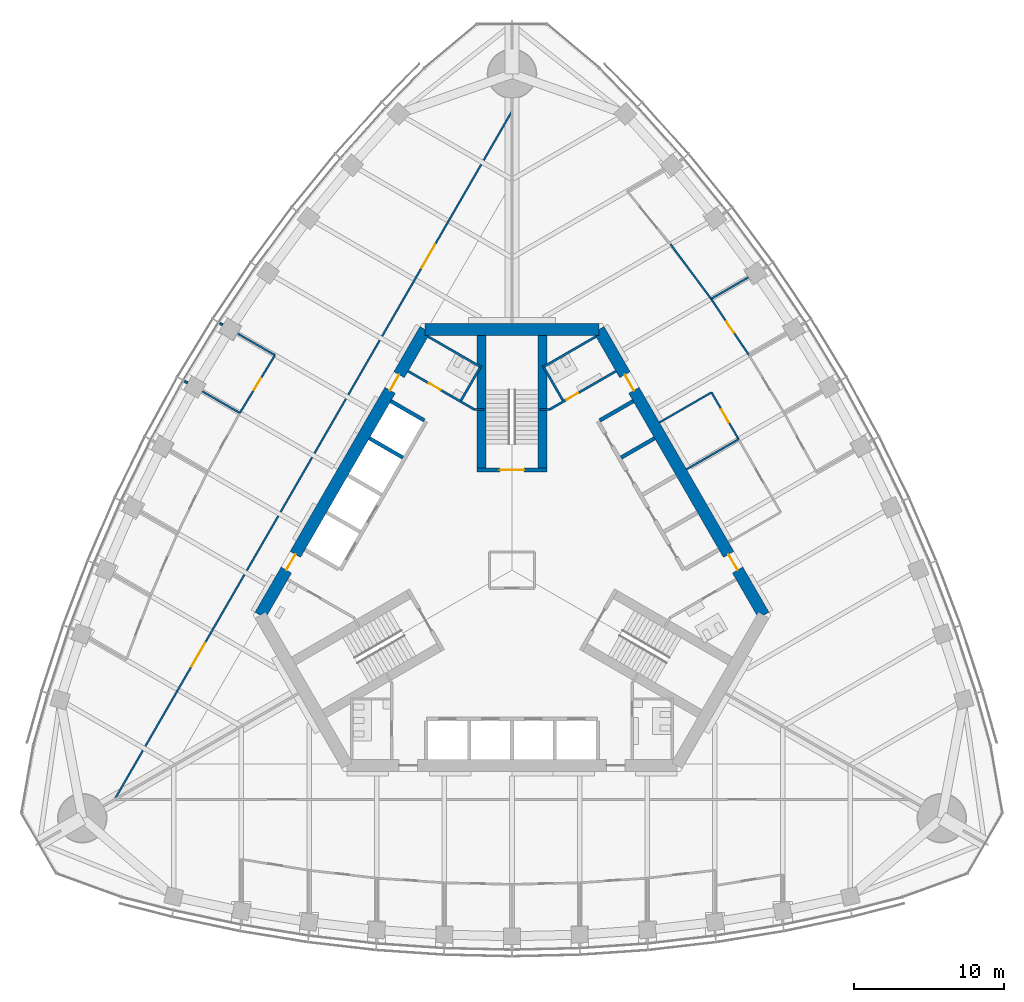
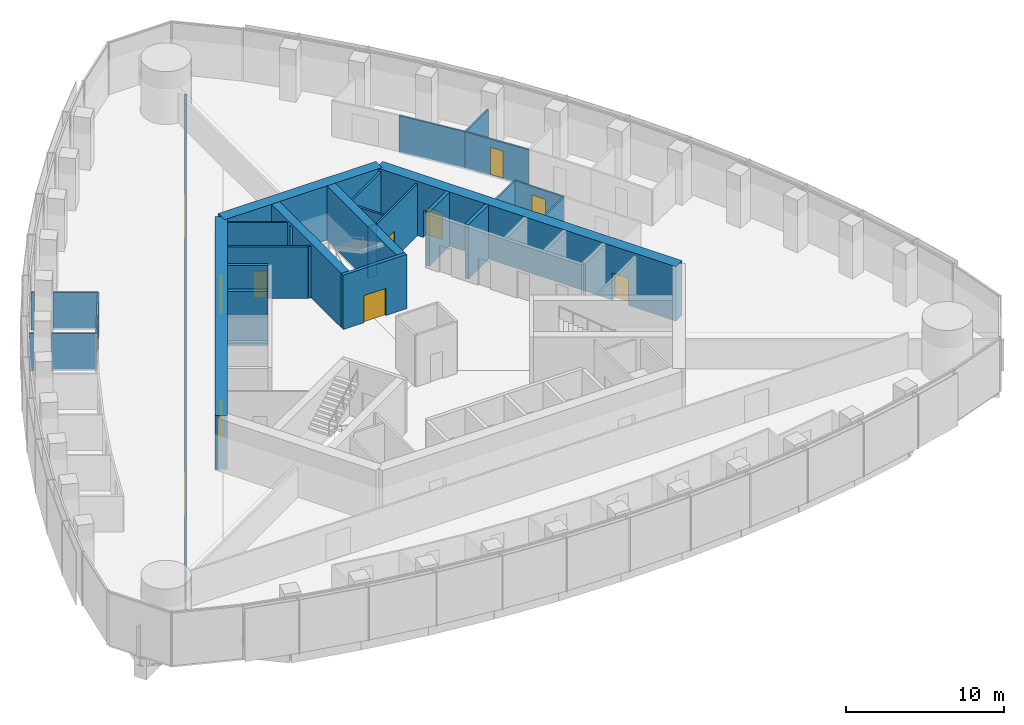
# One storey, part 14 of 20: 30 walls, 12 doors, 12 openings.
"""IFC4 building model written with IfcOpenShell, lengths in metres."""

from ifc_helpers import new_model, si_unit, direction, frame, frame_2d, origin, place, context, subcontext, project, spatial, rectangle, extrude, material, layer, layer_set, type_object, element, fill, save


model = new_model("IFC4")

# Units and contexts
model_context = context("Model", 3, precision=1e-05, world=origin(), true_north=direction((0.0, 1.0)))
body_context = subcontext(model_context, "Body", "Model", "MODEL_VIEW")
ifc_project = project(units=[si_unit("LENGTHUNIT", "METRE"), si_unit("AREAUNIT", "SQUARE_METRE"), si_unit("VOLUMEUNIT", "CUBIC_METRE"), si_unit("PLANEANGLEUNIT", "RADIAN"), si_unit("MASSUNIT", "GRAM", prefix="KILO")], contexts=[model_context])

# Site, building, storey
site_placement = place(None, origin())
site = spatial("IfcSite", under=ifc_project, at=site_placement, CompositionType="ELEMENT")
building_placement = place(site_placement, origin())
building = spatial("IfcBuilding", under=site, at=building_placement, Name="Trefoil Bronze Tower", CompositionType="ELEMENT")
storey_placement = place(building_placement, frame((0.0, 0.0, 219.10009765625)))
storey = spatial("IfcBuildingStorey", under=building, at=storey_placement, Name="L50", CompositionType="ELEMENT", Elevation=219.10009765625)

# Wall, openings, doors
ifc_material_1 = material(Name="Concrete B80", Category="concrete")
ifc_layer_1 = layer(ifc_material_1, 0.800048828125)
ifc_layer_set_1 = layer_set([ifc_layer_1], Name="Core wall 800")
wall_type_1 = type_object("IfcWallType", Name="Core wall 800", PredefinedType="SHEAR", material=ifc_layer_set_1)
wall_1_placement = place(storey_placement, frame((16.7431640625, -3.0, 0.0), z_axis=(0.0, 0.0, 1.0), x_axis=(-0.500002442456, 0.866023993627, 0.0)))
wall_1 = element("IfcWall", 1, at=wall_1_placement, inside=storey, type_object=wall_type_1, Name="Core long wall 2 L50", PredefinedType="SHEAR", context=body_context, shape_type="SweptSolid", body=[
    extrude(rectangle(XDim=21.939453125, YDim=0.800048828125, at=frame_2d((10.9697265625, 0.0))), origin(), (0.0, 0.0, 1.0), 4.199951171875),
])
opening_1_placement = place(wall_1_placement, frame((17.269775390625, 0.0, 0.0)))
opening_1 = element("IfcOpeningElement", 2, at=opening_1_placement, cuts=wall_1, Name="Opening D2", PredefinedType="OPENING", context=body_context, shape_type="SweptSolid", body=[
    extrude(rectangle(XDim=1.199951171875, YDim=2.10009765625, at=frame_2d((0.60009765625, 1.050048828125))), frame((0.0, 0.409912109375, 0.0), z_axis=(0.0, -1.0, 0.0), x_axis=(1.0, 0.0, 0.0)), (0.0, 0.0, 1.0), 0.820068359375),
])
opening_2_placement = place(wall_1_placement, frame((3.4697265625, 0.0, 0.0)))
opening_2 = element("IfcOpeningElement", 3, at=opening_2_placement, cuts=wall_1, Name="Opening D2", PredefinedType="OPENING", context=body_context, shape_type="SweptSolid", body=[
    extrude(rectangle(XDim=1.199951171875, YDim=2.10009765625, at=frame_2d((0.60009765625, 1.050048828125))), frame((0.0, 0.409912109375, 0.0), z_axis=(0.0, -1.0, 0.0), x_axis=(1.0, 0.0, 0.0)), (0.0, 0.0, 1.0), 0.820068359375),
])
ifc_material_2 = material(Name="Steel door", Category="steel")
door_type_1 = type_object("IfcDoorType", Name="Lobby door 1200", OperationType="SINGLE_SWING_RIGHT", PredefinedType="DOOR", material=ifc_material_2)
door_1_placement = place(opening_1_placement, origin())
door_1 = element("IfcDoor", 4, at=door_1_placement, inside=storey, type_object=door_type_1, Name="Lobby door F2+ L50", OperationType="SINGLE_SWING_RIGHT", OverallHeight=2.10009765625, OverallWidth=1.199951171875, PredefinedType="DOOR", context=body_context, shape_type="SweptSolid", body=[
    extrude(rectangle(XDim=1.199951171875, YDim=2.10009765625, at=frame_2d((0.60009765625, 1.050048828125))), frame((0.0, 0.02490234375, 0.0), z_axis=(0.0, -1.0, 0.0), x_axis=(1.0, 0.0, 0.0)), (0.0, 0.0, 1.0), 0.050048828125),
])
fill(opening_1, door_1)
door_2_placement = place(opening_2_placement, origin())
door_2 = element("IfcDoor", 5, at=door_2_placement, inside=storey, type_object=door_type_1, Name="Lobby door F2- L50", OperationType="SINGLE_SWING_LEFT", OverallHeight=2.10009765625, OverallWidth=1.199951171875, PredefinedType="DOOR", context=body_context, shape_type="SweptSolid", body=[
    extrude(rectangle(XDim=1.199951171875, YDim=2.10009765625, at=frame_2d((0.60009765625, 1.050048828125))), frame((0.0, 0.02490234375, 0.0), z_axis=(0.0, -1.0, 0.0), x_axis=(1.0, 0.0, 0.0)), (0.0, 0.0, 1.0), 0.050048828125),
])
fill(opening_2, door_2)

# Wall
wall_2_placement = place(storey_placement, frame((5.7734375, 16.0, 0.0), z_axis=(0.0, 0.0, 1.0), x_axis=(-1.0, 0.0, 0.0)))
element("IfcWall", 6, at=wall_2_placement, inside=storey, type_object=wall_type_1, Name="Core short wall 2 L50", PredefinedType="SHEAR", context=body_context, shape_type="SweptSolid", body=[
    extrude(rectangle(XDim=11.546875, YDim=0.800048828125, at=frame_2d((5.7734375, 0.0))), origin(), (0.0, 0.0, 1.0), 4.199951171875),
])

# Wall, openings, doors
wall_3_placement = place(storey_placement, frame((-5.7734375, 16.0, 0.0), z_axis=(0.0, 0.0, 1.0), x_axis=(-0.500002442456, -0.866023993627, 0.0)))
wall_3 = element("IfcWall", 7, at=wall_3_placement, inside=storey, type_object=wall_type_1, Name="Core long wall 3 L50", PredefinedType="SHEAR", context=body_context, shape_type="SweptSolid", body=[
    extrude(rectangle(XDim=21.939453125, YDim=0.800048828125, at=frame_2d((10.9697265625, 0.0))), origin(), (0.0, 0.0, 1.0), 4.199951171875),
])
opening_3_placement = place(wall_3_placement, frame((17.269775390625, 0.0, 0.0)))
opening_3 = element("IfcOpeningElement", 8, at=opening_3_placement, cuts=wall_3, Name="Opening D2", PredefinedType="OPENING", context=body_context, shape_type="SweptSolid", body=[
    extrude(rectangle(XDim=1.199951171875, YDim=2.10009765625, at=frame_2d((0.60009765625, 1.050048828125))), frame((0.0, 0.409912109375, 0.0), z_axis=(0.0, -1.0, 0.0), x_axis=(1.0, 0.0, 0.0)), (0.0, 0.0, 1.0), 0.820068359375),
])
opening_4_placement = place(wall_3_placement, frame((3.4697265625, 0.0, 0.0)))
opening_4 = element("IfcOpeningElement", 9, at=opening_4_placement, cuts=wall_3, Name="Opening D2", PredefinedType="OPENING", context=body_context, shape_type="SweptSolid", body=[
    extrude(rectangle(XDim=1.199951171875, YDim=2.10009765625, at=frame_2d((0.60009765625, 1.050048828125))), frame((0.0, 0.409912109375, 0.0), z_axis=(0.0, -1.0, 0.0), x_axis=(1.0, 0.0, 0.0)), (0.0, 0.0, 1.0), 0.820068359375),
])
door_3_placement = place(opening_3_placement, origin())
door_3 = element("IfcDoor", 10, at=door_3_placement, inside=storey, type_object=door_type_1, Name="Lobby door F3+ L50", OperationType="SINGLE_SWING_RIGHT", OverallHeight=2.10009765625, OverallWidth=1.199951171875, PredefinedType="DOOR", context=body_context, shape_type="SweptSolid", body=[
    extrude(rectangle(XDim=1.199951171875, YDim=2.10009765625, at=frame_2d((0.60009765625, 1.050048828125))), frame((0.0, 0.02490234375, 0.0), z_axis=(0.0, -1.0, 0.0), x_axis=(1.0, 0.0, 0.0)), (0.0, 0.0, 1.0), 0.050048828125),
])
fill(opening_3, door_3)
door_4_placement = place(opening_4_placement, origin())
door_4 = element("IfcDoor", 11, at=door_4_placement, inside=storey, type_object=door_type_1, Name="Lobby door F3- L50", OperationType="SINGLE_SWING_LEFT", OverallHeight=2.10009765625, OverallWidth=1.199951171875, PredefinedType="DOOR", context=body_context, shape_type="SweptSolid", body=[
    extrude(rectangle(XDim=1.199951171875, YDim=2.10009765625, at=frame_2d((0.60009765625, 1.050048828125))), frame((0.0, 0.02490234375, 0.0), z_axis=(0.0, -1.0, 0.0), x_axis=(1.0, 0.0, 0.0)), (0.0, 0.0, 1.0), 0.050048828125),
])
fill(opening_4, door_4)

# Wall, opening, door
ifc_material_3 = material(Name="Glazed partition", Category="glass")
ifc_layer_2 = layer(ifc_material_3, 0.1201171875)
ifc_layer_set_2 = layer_set([ifc_layer_2], Name="Glazed partition 120")
wall_type_2 = type_object("IfcWallType", Name="Glazed partition 120", PredefinedType="PARTITIONING", material=ifc_layer_set_2)
wall_4_placement = place(storey_placement, frame((15.06884765625, 8.699951171875, 0.0), z_axis=(0.0, 0.0, 1.0), x_axis=(-0.500012057535, 0.866018442252, 0.0)))
wall_4 = element("IfcWall", 12, at=wall_4_placement, inside=storey, type_object=wall_type_2, Name="Partition F2 L50", PredefinedType="PARTITIONING", context=body_context, shape_type="SweptSolid", body=[
    extrude(rectangle(XDim=3.60009765625, YDim=0.1201171875, at=frame_2d((1.800048828125, 0.0))), origin(), (0.0, 0.0, 1.0), 2.89990234375),
])
opening_5_placement = place(wall_4_placement, frame((1.300048828125, 0.0, 0.14990234375)))
opening_5 = element("IfcOpeningElement", 13, at=opening_5_placement, cuts=wall_4, Name="Opening D9", PredefinedType="OPENING", context=body_context, shape_type="SweptSolid", body=[
    extrude(rectangle(XDim=1.0, YDim=2.10009765625, at=frame_2d((0.5, 1.050048828125))), frame((0.0, 0.070068359375, 0.0), z_axis=(0.0, -1.0, 0.0), x_axis=(1.0, 0.0, 0.0)), (0.0, 0.0, 1.0), 0.14013671875),
])
ifc_material_4 = material(Name="Glazed timber door", Category="wood")
door_type_2 = type_object("IfcDoorType", Name="Meeting room door 1000", OperationType="SINGLE_SWING_LEFT", PredefinedType="DOOR", material=ifc_material_4)
door_5_placement = place(opening_5_placement, origin())
door_5 = element("IfcDoor", 14, at=door_5_placement, inside=storey, type_object=door_type_2, Name="Meeting room door F2 L50", OperationType="SINGLE_SWING_LEFT", OverallHeight=2.10009765625, OverallWidth=1.0, PredefinedType="DOOR", context=body_context, shape_type="SweptSolid", body=[
    extrude(rectangle(XDim=1.0, YDim=2.10009765625, at=frame_2d((0.5, 1.050048828125))), frame((0.0, 0.02490234375, 0.0), z_axis=(0.0, -1.0, 0.0), x_axis=(1.0, 0.0, 0.0)), (0.0, 0.0, 1.0), 0.050048828125),
])
fill(opening_5, door_5)

# Walls
for number, where, z_axis, x_axis, name in (
    (15, (9.8046875, 9.817626953125, 0.0), (0.0, 0.0, 1.0), (0.866026010844, 0.49999894854, 0.0), "Partition F2 L50"),
    (16, (11.604736328125, 6.699951171875, 0.0), (0.0, 0.0, 1.0), (0.866026010844, 0.49999894854, 0.0), "Partition F2 L50"),
):
    element("IfcWall", number, at=place(storey_placement, frame(where, z_axis=z_axis, x_axis=x_axis)), inside=storey, type_object=wall_type_2, Name=name, PredefinedType="PARTITIONING", context=body_context, shape_type="SweptSolid", body=[
        extrude(rectangle(XDim=4.0, YDim=0.1201171875, at=frame_2d((2.0, 0.0))), origin(), (0.0, 0.0, 1.0), 2.89990234375),
    ])

# Wall, opening, door
wall_5_placement = place(storey_placement, frame((15.760986328125, 14.295654296875, 0.0), z_axis=(0.0, 0.0, 1.0), x_axis=(-0.55850386778, 0.829501916619, 0.0)))
wall_5 = element("IfcWall", 17, at=wall_5_placement, inside=storey, type_object=wall_type_2, Name="Partition F2 L50", PredefinedType="PARTITIONING", context=body_context, shape_type="SweptSolid", body=[
    extrude(rectangle(XDim=4.5107421875, YDim=0.1201171875, at=frame_2d((2.25537109375, 0.0))), origin(), (0.0, 0.0, 1.0), 2.89990234375),
])
opening_6_placement = place(wall_5_placement, frame((1.800048828125, 0.0, 0.14990234375)))
opening_6 = element("IfcOpeningElement", 18, at=opening_6_placement, cuts=wall_5, Name="Opening D8", PredefinedType="OPENING", context=body_context, shape_type="SweptSolid", body=[
    extrude(rectangle(XDim=0.89990234375, YDim=2.10009765625, at=frame_2d((0.449951171875, 1.050048828125))), frame((0.0, 0.070068359375, 0.0), z_axis=(0.0, -1.0, 0.0), x_axis=(1.0, 0.0, 0.0)), (0.0, 0.0, 1.0), 0.14013671875),
])
ifc_material_5 = material(Name="Timber door", Category="wood")
door_type_3 = type_object("IfcDoorType", Name="Office door 900", OperationType="SINGLE_SWING_LEFT", PredefinedType="DOOR", material=ifc_material_5)
door_6_placement = place(opening_6_placement, frame((0.89990234375, 0.0, 0.0), z_axis=(0.0, 0.0, 1.0), x_axis=(-1.0, 0.0, 0.0)))
door_6 = element("IfcDoor", 19, at=door_6_placement, inside=storey, type_object=door_type_3, Name="Office door F2 L50", OperationType="SINGLE_SWING_RIGHT", OverallHeight=2.10009765625, OverallWidth=0.89990234375, PredefinedType="DOOR", context=body_context, shape_type="SweptSolid", body=[
    extrude(rectangle(XDim=0.89990234375, YDim=2.10009765625, at=frame_2d((0.449951171875, 1.050048828125))), frame((0.0, 0.02490234375, 0.0), z_axis=(0.0, -1.0, 0.0), x_axis=(1.0, 0.0, 0.0)), (0.0, 0.0, 1.0), 0.050048828125),
])
fill(opening_6, door_6)

# Walls
wall_6_placement = place(storey_placement, frame((13.24169921875, 18.037353515625, 0.0), z_axis=(0.0, 0.0, 1.0), x_axis=(-0.596173167565, 0.802855873912, 0.0)))
element("IfcWall", 20, at=wall_6_placement, inside=storey, type_object=wall_type_2, Name="Partition F2 L50", PredefinedType="PARTITIONING", context=body_context, shape_type="SweptSolid", body=[
    extrude(rectangle(XDim=4.530029296875, YDim=0.1201171875, at=frame_2d((2.26513671875, 0.0))), origin(), (0.0, 0.0, 1.0), 2.89990234375),
])
wall_7_placement = place(storey_placement, frame((13.24169921875, 18.037353515625, 0.0), z_axis=(0.0, 0.0, 1.0), x_axis=(0.866020927947, 0.500007752297, 0.0)))
element("IfcWall", 21, at=wall_7_placement, inside=storey, type_object=wall_type_2, Name="Partition F2 L50", PredefinedType="PARTITIONING", context=body_context, shape_type="SweptSolid", body=[
    extrude(rectangle(XDim=2.8642578125, YDim=0.1201171875, at=frame_2d((1.43212890625, 0.0))), origin(), (0.0, 0.0, 1.0), 2.89990234375),
])

# Wall, openings, doors
wall_8_placement = place(storey_placement, frame((-0.016357421875, 30.491455078125, 0.0), z_axis=(0.0, 0.0, 1.0), x_axis=(-0.50000091641, -0.866024874695, 0.0)))
wall_8 = element("IfcWall", 22, at=wall_8_placement, inside=storey, type_object=wall_type_2, Name="Partition F3 L50", PredefinedType="PARTITIONING", context=body_context, shape_type="SweptSolid", body=[
    extrude(rectangle(XDim=52.79638671875, YDim=0.1201171875, at=frame_2d((26.398193359375, 0.0))), origin(), (0.0, 0.0, 1.0), 2.89990234375),
])
opening_7_placement = place(wall_8_placement, frame((10.199951171875, 0.0, 0.14990234375)))
opening_7 = element("IfcOpeningElement", 23, at=opening_7_placement, cuts=wall_8, Name="Opening D10", PredefinedType="OPENING", context=body_context, shape_type="SweptSolid", body=[
    extrude(rectangle(XDim=1.800048828125, YDim=2.10009765625, at=frame_2d((0.89990234375, 1.050048828125))), frame((0.0, 0.070068359375, 0.0), z_axis=(0.0, -1.0, 0.0), x_axis=(1.0, 0.0, 0.0)), (0.0, 0.0, 1.0), 0.14013671875),
])
opening_8_placement = place(wall_8_placement, frame((40.800048828125, 0.0, 0.14990234375)))
opening_8 = element("IfcOpeningElement", 24, at=opening_8_placement, cuts=wall_8, Name="Opening D10", PredefinedType="OPENING", context=body_context, shape_type="SweptSolid", body=[
    extrude(rectangle(XDim=1.800048828125, YDim=2.10009765625, at=frame_2d((0.89990234375, 1.050048828125))), frame((0.0, 0.070068359375, 0.0), z_axis=(0.0, -1.0, 0.0), x_axis=(1.0, 0.0, 0.0)), (0.0, 0.0, 1.0), 0.14013671875),
])
ifc_material_6 = material(Name="Timber door", Category="wood")
door_type_4 = type_object("IfcDoorType", Name="Double door 1800", OperationType="DOUBLE_DOOR_SINGLE_SWING", PredefinedType="DOOR", material=ifc_material_6)
door_7_placement = place(opening_7_placement, origin())
door_7 = element("IfcDoor", 25, at=door_7_placement, inside=storey, type_object=door_type_4, Name="Corridor door F3 L50", OperationType="DOUBLE_DOOR_SINGLE_SWING", OverallHeight=2.10009765625, OverallWidth=1.800048828125, PredefinedType="DOOR", context=body_context, shape_type="SweptSolid", body=[
    extrude(rectangle(XDim=1.800048828125, YDim=2.10009765625, at=frame_2d((0.89990234375, 1.050048828125))), frame((0.0, 0.02490234375, 0.0), z_axis=(0.0, -1.0, 0.0), x_axis=(1.0, 0.0, 0.0)), (0.0, 0.0, 1.0), 0.050048828125),
])
fill(opening_7, door_7)
door_8_placement = place(opening_8_placement, origin())
door_8 = element("IfcDoor", 26, at=door_8_placement, inside=storey, type_object=door_type_4, Name="Corridor door F3 L50", OperationType="DOUBLE_DOOR_SINGLE_SWING", OverallHeight=2.10009765625, OverallWidth=1.800048828125, PredefinedType="DOOR", context=body_context, shape_type="SweptSolid", body=[
    extrude(rectangle(XDim=1.800048828125, YDim=2.10009765625, at=frame_2d((0.89990234375, 1.050048828125))), frame((0.0, 0.02490234375, 0.0), z_axis=(0.0, -1.0, 0.0), x_axis=(1.0, 0.0, 0.0)), (0.0, 0.0, 1.0), 0.050048828125),
])
fill(opening_8, door_8)

# Wall, opening, door
wall_9_placement = place(storey_placement, frame((-15.760986328125, 14.295654296875, 0.0), z_axis=(0.0, 0.0, 1.0), x_axis=(-0.519790350351, -0.85429385558, 0.0)))
wall_9 = element("IfcWall", 27, at=wall_9_placement, inside=storey, type_object=wall_type_2, Name="Partition F3 L50", PredefinedType="PARTITIONING", context=body_context, shape_type="SweptSolid", body=[
    extrude(rectangle(XDim=4.5009765625, YDim=0.1201171875, at=frame_2d((2.25048828125, 0.0))), origin(), (0.0, 0.0, 1.0), 2.89990234375),
])
opening_9_placement = place(wall_9_placement, frame((1.800048828125, 0.0, 0.14990234375)))
opening_9 = element("IfcOpeningElement", 28, at=opening_9_placement, cuts=wall_9, Name="Opening D8", PredefinedType="OPENING", context=body_context, shape_type="SweptSolid", body=[
    extrude(rectangle(XDim=0.89990234375, YDim=2.10009765625, at=frame_2d((0.449951171875, 1.050048828125))), frame((0.0, 0.070068359375, 0.0), z_axis=(0.0, -1.0, 0.0), x_axis=(1.0, 0.0, 0.0)), (0.0, 0.0, 1.0), 0.14013671875),
])
door_9_placement = place(opening_9_placement, frame((0.89990234375, 0.0, 0.0), z_axis=(0.0, 0.0, 1.0), x_axis=(-1.0, 0.0, 0.0)))
door_9 = element("IfcDoor", 29, at=door_9_placement, inside=storey, type_object=door_type_3, Name="Office door F3 L50", OperationType="SINGLE_SWING_RIGHT", OverallHeight=2.10009765625, OverallWidth=0.89990234375, PredefinedType="DOOR", context=body_context, shape_type="SweptSolid", body=[
    extrude(rectangle(XDim=0.89990234375, YDim=2.10009765625, at=frame_2d((0.449951171875, 1.050048828125))), frame((0.0, 0.02490234375, 0.0), z_axis=(0.0, -1.0, 0.0), x_axis=(1.0, 0.0, 0.0)), (0.0, 0.0, 1.0), 0.050048828125),
])
fill(opening_9, door_9)

# Walls
wall_10_placement = place(storey_placement, frame((-18.1005859375, 10.450439453125, 0.0), z_axis=(0.0, 0.0, 1.0), x_axis=(-0.866041086612, 0.499972835562, 0.0)))
element("IfcWall", 30, at=wall_10_placement, inside=storey, type_object=wall_type_2, Name="Partition F3 L50", PredefinedType="PARTITIONING", context=body_context, shape_type="SweptSolid", body=[
    extrude(rectangle(XDim=2.869873046875, YDim=0.1201171875, at=frame_2d((1.43505859375, 0.0))), origin(), (0.0, 0.0, 1.0), 2.89990234375),
])
wall_11_placement = place(storey_placement, frame((-15.760986328125, 14.295654296875, 0.0), z_axis=(0.0, 0.0, 1.0), x_axis=(-0.866008413041, 0.500029427677, 0.0)))
element("IfcWall", 31, at=wall_11_placement, inside=storey, type_object=wall_type_2, Name="Partition F3 L50", PredefinedType="PARTITIONING", context=body_context, shape_type="SweptSolid", body=[
    extrude(rectangle(XDim=2.868408203125, YDim=0.1201171875, at=frame_2d((1.43408203125, 0.0))), origin(), (0.0, 0.0, 1.0), 2.89990234375),
])

# Wall, opening, door
ifc_material_7 = material(Name="Gypsum board on steel studs", Category="steel")
ifc_layer_3 = layer(ifc_material_7, 0.14990234375)
ifc_layer_set_3 = layer_set([ifc_layer_3], Name="Partition 150")
wall_type_3 = type_object("IfcWallType", Name="Partition 150", PredefinedType="PARTITIONING", material=ifc_layer_set_3)
wall_12_placement = place(storey_placement, frame((2.4951171875, 10.67822265625, 0.0), z_axis=(0.0, 0.0, 1.0), x_axis=(0.86602216432, 0.500005610874, 0.0)))
wall_12 = element("IfcWall", 32, at=wall_12_placement, inside=storey, type_object=wall_type_3, Name="Passage wall F2+ L50", PredefinedType="PARTITIONING", context=body_context, shape_type="SweptSolid", body=[
    extrude(rectangle(XDim=5.10009765625, YDim=0.14990234375, at=frame_2d((2.550048828125, 0.0))), origin(), (0.0, 0.0, 1.0), 4.0),
])
opening_10_placement = place(wall_12_placement, frame((1.300048828125, 0.0, 0.0)))
opening_10 = element("IfcOpeningElement", 33, at=opening_10_placement, cuts=wall_12, Name="Opening D3", PredefinedType="OPENING", context=body_context, shape_type="SweptSolid", body=[
    extrude(rectangle(XDim=0.89990234375, YDim=2.10009765625, at=frame_2d((0.449951171875, 1.050048828125))), frame((0.0, 0.0849609375, 0.0), z_axis=(0.0, -1.0, 0.0), x_axis=(1.0, 0.0, 0.0)), (0.0, 0.0, 1.0), 0.169921875),
])
ifc_material_8 = material(Name="Timber door", Category="wood")
door_type_5 = type_object("IfcDoorType", Name="WC door 900", OperationType="SINGLE_SWING_LEFT", PredefinedType="DOOR", material=ifc_material_8)
door_10_placement = place(opening_10_placement, origin())
door_10 = element("IfcDoor", 34, at=door_10_placement, inside=storey, type_object=door_type_5, Name="WC (men) door L50", OperationType="SINGLE_SWING_LEFT", OverallHeight=2.10009765625, OverallWidth=0.89990234375, PredefinedType="DOOR", context=body_context, shape_type="SweptSolid", body=[
    extrude(rectangle(XDim=0.89990234375, YDim=2.10009765625, at=frame_2d((0.449951171875, 1.050048828125))), frame((0.0, 0.02490234375, 0.0), z_axis=(0.0, -1.0, 0.0), x_axis=(1.0, 0.0, 0.0)), (0.0, 0.0, 1.0), 0.050048828125),
])
fill(opening_10, door_10)

wall_13_placement = place(storey_placement, frame((-2.4951171875, 10.67822265625, 0.0), z_axis=(0.0, 0.0, 1.0), x_axis=(-0.86602216432, 0.500005610874, 0.0)))
wall_13 = element("IfcWall", 35, at=wall_13_placement, inside=storey, type_object=wall_type_3, Name="Passage wall F3- L50", PredefinedType="PARTITIONING", context=body_context, shape_type="SweptSolid", body=[
    extrude(rectangle(XDim=5.10009765625, YDim=0.14990234375, at=frame_2d((2.550048828125, 0.0))), origin(), (0.0, 0.0, 1.0), 4.0),
])
opening_11_placement = place(wall_13_placement, frame((2.60009765625, 0.0, 0.0)))
opening_11 = element("IfcOpeningElement", 36, at=opening_11_placement, cuts=wall_13, Name="Opening D3", PredefinedType="OPENING", context=body_context, shape_type="SweptSolid", body=[
    extrude(rectangle(XDim=0.89990234375, YDim=2.10009765625, at=frame_2d((0.449951171875, 1.050048828125))), frame((0.0, 0.0849609375, 0.0), z_axis=(0.0, -1.0, 0.0), x_axis=(1.0, 0.0, 0.0)), (0.0, 0.0, 1.0), 0.169921875),
])
door_11_placement = place(opening_11_placement, frame((0.89990234375, 0.0, 0.0), z_axis=(0.0, 0.0, 1.0), x_axis=(-1.0, 0.0, 0.0)))
door_11 = element("IfcDoor", 37, at=door_11_placement, inside=storey, type_object=door_type_5, Name="WC (women) door L50", OperationType="SINGLE_SWING_RIGHT", OverallHeight=2.10009765625, OverallWidth=0.89990234375, PredefinedType="DOOR", context=body_context, shape_type="SweptSolid", body=[
    extrude(rectangle(XDim=0.89990234375, YDim=2.10009765625, at=frame_2d((0.449951171875, 1.050048828125))), frame((0.0, 0.02490234375, 0.0), z_axis=(0.0, -1.0, 0.0), x_axis=(1.0, 0.0, 0.0)), (0.0, 0.0, 1.0), 0.050048828125),
])
fill(opening_11, door_11)

# Walls
for number, where, z_axis, x_axis, name in (
    (38, (2.4951171875, 10.67822265625, 0.0), (0.0, 0.0, 1.0), (-1.0, 0.0, 0.0), "WC wall ST2-1 L50"),
    (39, (-2.4951171875, 10.67822265625, 0.0), (0.0, 0.0, 1.0), (1.0, 0.0, 0.0), "WC wall ST2+1 L50"),
):
    element("IfcWall", number, at=place(storey_placement, frame(where, z_axis=z_axis, x_axis=x_axis)), inside=storey, type_object=wall_type_3, Name=name, PredefinedType="PARTITIONING", context=body_context, shape_type="SweptSolid", body=[
        extrude(rectangle(XDim=0.64501953125, YDim=0.14990234375, at=frame_2d((0.322509765625, 0.0))), origin(), (0.0, 0.0, 1.0), 4.0),
    ])
wall_14_placement = place(storey_placement, frame((2.03125, 13.48193359375, 0.0), z_axis=(0.0, 0.0, 1.0), x_axis=(0.866050731258, 0.499956128963, 0.0)))
element("IfcWall", 40, at=wall_14_placement, inside=storey, type_object=wall_type_3, Name="WC partition WC (men) L50", PredefinedType="PARTITIONING", context=body_context, shape_type="SweptSolid", body=[
    extrude(rectangle(XDim=4.099853515625, YDim=0.14990234375, at=frame_2d((2.0498046875, 0.0))), origin(), (0.0, 0.0, 1.0), 4.0),
])
wall_15_placement = place(storey_placement, frame((3.388671875, 11.28076171875, 0.0), z_axis=(0.0, 0.0, 1.0), x_axis=(-0.499989096993, 0.866031698547, 0.0)))
element("IfcWall", 41, at=wall_15_placement, inside=storey, type_object=wall_type_3, Name="WC partition WC (men) L50", PredefinedType="PARTITIONING", context=body_context, shape_type="SweptSolid", body=[
    extrude(rectangle(XDim=2.509765625, YDim=0.14990234375, at=frame_2d((1.2548828125, 0.0))), origin(), (0.0, 0.0, 1.0), 4.0),
])
wall_16_placement = place(storey_placement, frame((-2.03125, 13.48193359375, 0.0), z_axis=(0.0, 0.0, 1.0), x_axis=(-0.866050731258, 0.499956128963, 0.0)))
element("IfcWall", 42, at=wall_16_placement, inside=storey, type_object=wall_type_3, Name="WC partition WC (women) L50", PredefinedType="PARTITIONING", context=body_context, shape_type="SweptSolid", body=[
    extrude(rectangle(XDim=4.099853515625, YDim=0.14990234375, at=frame_2d((2.0498046875, 0.0))), origin(), (0.0, 0.0, 1.0), 4.0),
])
wall_17_placement = place(storey_placement, frame((-3.388671875, 11.28076171875, 0.0), z_axis=(0.0, 0.0, 1.0), x_axis=(0.499989096993, 0.866031698547, 0.0)))
element("IfcWall", 43, at=wall_17_placement, inside=storey, type_object=wall_type_3, Name="WC partition WC (women) L50", PredefinedType="PARTITIONING", context=body_context, shape_type="SweptSolid", body=[
    extrude(rectangle(XDim=2.509765625, YDim=0.14990234375, at=frame_2d((1.2548828125, 0.0))), origin(), (0.0, 0.0, 1.0), 4.0),
])
wall_18_placement = place(storey_placement, frame((-21.568115234375, 12.452392578125, 0.0), z_axis=(0.0, 0.0, 1.0), x_axis=(-0.866303639744, 0.499517771221, 0.0)))
element("IfcWall", 44, at=wall_18_placement, inside=storey, type_object=wall_type_3, Name="Partition F3 L50", PredefinedType="PARTITIONING", context=body_context, shape_type="SweptSolid", body=[
    extrude(rectangle(XDim=0.240966796875, YDim=0.14990234375, at=frame_2d((0.12060546875, 0.0))), origin(), (0.0, 0.0, 1.0), 2.89990234375),
])
wall_19_placement = place(storey_placement, frame((-19.249267578125, 16.3095703125, 0.0), z_axis=(0.0, 0.0, 1.0), x_axis=(-0.865810949009, 0.500371262739, 0.0)))
element("IfcWall", 45, at=wall_19_placement, inside=storey, type_object=wall_type_3, Name="Partition F3 L50", PredefinedType="PARTITIONING", context=body_context, shape_type="SweptSolid", body=[
    extrude(rectangle(XDim=0.217041015625, YDim=0.14990234375, at=frame_2d((0.1083984375, 0.0))), origin(), (0.0, 0.0, 1.0), 2.89990234375),
])
ifc_material_9 = material(Name="Concrete B80", Category="concrete")
ifc_layer_4 = layer(ifc_material_9, 0.25)
ifc_layer_set_4 = layer_set([ifc_layer_4], Name="Shaft wall 250")
wall_type_4 = type_object("IfcWallType", Name="Shaft wall 250", PredefinedType="SHEAR", material=ifc_layer_set_4)
wall_20_placement = place(storey_placement, frame((7.2568359375, 7.480712890625, 0.0), z_axis=(0.0, 0.0, 1.0), x_axis=(0.866046643894, 0.499963209246, 0.0)))
element("IfcWall", 46, at=wall_20_placement, inside=storey, type_object=wall_type_4, Name="Lift shaft side wall B3 L50", PredefinedType="SHEAR", context=body_context, shape_type="SweptSolid", body=[
    extrude(rectangle(XDim=2.574951171875, YDim=0.25, at=frame_2d((1.28759765625, 0.0))), origin(), (0.0, 0.0, 1.0), 4.199951171875),
])
for number, where, z_axis, x_axis, name in (
    (47, (5.831787109375, 9.94873046875, 0.0), (0.0, 0.0, 1.0), (0.866029291668, 0.499993265928, 0.0), "Lift shaft side wall B4 L50"),
    (48, (-5.831787109375, 9.94873046875, 0.0), (0.0, 0.0, 1.0), (-0.866029291668, 0.499993265928, 0.0), "Lift shaft side wall C0 L50"),
):
    element("IfcWall", number, at=place(storey_placement, frame(where, z_axis=z_axis, x_axis=x_axis)), inside=storey, type_object=wall_type_4, Name=name, PredefinedType="SHEAR", context=body_context, shape_type="SweptSolid", body=[
        extrude(rectangle(XDim=2.5751953125, YDim=0.25, at=frame_2d((1.28759765625, 0.0))), origin(), (0.0, 0.0, 1.0), 4.199951171875),
    ])
wall_21_placement = place(storey_placement, frame((-7.2568359375, 7.480712890625, 0.0), z_axis=(0.0, 0.0, 1.0), x_axis=(-0.866046643894, 0.499963209246, 0.0)))
element("IfcWall", 49, at=wall_21_placement, inside=storey, type_object=wall_type_4, Name="Lift shaft side wall C1 L50", PredefinedType="SHEAR", context=body_context, shape_type="SweptSolid", body=[
    extrude(rectangle(XDim=2.574951171875, YDim=0.25, at=frame_2d((1.28759765625, 0.0))), origin(), (0.0, 0.0, 1.0), 4.199951171875),
])

# Wall, opening, door
wall_22_placement = place(storey_placement, frame((2.324951171875, 6.64990234375, 0.0), z_axis=(0.0, 0.0, 1.0), x_axis=(-1.0, 0.0, 0.0)))
wall_22 = element("IfcWall", 50, at=wall_22_placement, inside=storey, type_object=wall_type_4, Name="Stair end wall ST2 L50", PredefinedType="SHEAR", context=body_context, shape_type="SweptSolid", body=[
    extrude(rectangle(XDim=4.64990234375, YDim=0.25, at=frame_2d((2.324951171875, 0.0))), origin(), (0.0, 0.0, 1.0), 4.199951171875),
])
opening_12_placement = place(wall_22_placement, frame((1.52490234375, 0.0, 0.0)))
opening_12 = element("IfcOpeningElement", 51, at=opening_12_placement, cuts=wall_22, Name="Opening D1", PredefinedType="OPENING", context=body_context, shape_type="SweptSolid", body=[
    extrude(rectangle(XDim=1.60009765625, YDim=2.10009765625, at=frame_2d((0.800048828125, 1.050048828125))), frame((0.0, 0.135009765625, 0.0), z_axis=(0.0, -1.0, 0.0), x_axis=(1.0, 0.0, 0.0)), (0.0, 0.0, 1.0), 0.27001953125),
])
ifc_material_10 = material(Name="Steel door", Category="steel")
door_type_6 = type_object("IfcDoorType", Name="Stair door 1600", OperationType="DOUBLE_DOOR_SINGLE_SWING", PredefinedType="DOOR", material=ifc_material_10)
door_12_placement = place(opening_12_placement, frame((1.60009765625, 0.0, 0.0), z_axis=(0.0, 0.0, 1.0), x_axis=(-1.0, 0.0, 0.0)))
door_12 = element("IfcDoor", 52, at=door_12_placement, inside=storey, type_object=door_type_6, Name="Stair door ST2 L50", OperationType="DOUBLE_DOOR_SINGLE_SWING", OverallHeight=2.10009765625, OverallWidth=1.60009765625, PredefinedType="DOOR", context=body_context, shape_type="SweptSolid", body=[
    extrude(rectangle(XDim=1.60009765625, YDim=2.10009765625, at=frame_2d((0.800048828125, 1.050048828125))), frame((0.0, 0.02490234375, 0.0), z_axis=(0.0, -1.0, 0.0), x_axis=(1.0, 0.0, 0.0)), (0.0, 0.0, 1.0), 0.050048828125),
])
fill(opening_12, door_12)

# Walls
ifc_material_11 = material(Name="Concrete B80", Category="concrete")
ifc_layer_5 = layer(ifc_material_11, 0.60009765625)
ifc_layer_set_5 = layer_set([ifc_layer_5], Name="Stair wall 600")
wall_type_5 = type_object("IfcWallType", Name="Stair wall 600", PredefinedType="SHEAR", material=ifc_layer_set_5)
for number, where, z_axis, x_axis, name in (
    (53, (2.02490234375, 6.52490234375, 0.0), (0.0, 0.0, 1.0), (0.0, 1.0, 0.0), "Stair wall ST2 L50"),
    (54, (-2.02490234375, 6.52490234375, 0.0), (0.0, 0.0, 1.0), (0.0, 1.0, 0.0), "Stair wall ST2 L50"),
):
    element("IfcWall", number, at=place(storey_placement, frame(where, z_axis=z_axis, x_axis=x_axis)), inside=storey, type_object=wall_type_5, Name=name, PredefinedType="SHEAR", context=body_context, shape_type="SweptSolid", body=[
        extrude(rectangle(XDim=9.0751953125, YDim=0.60009765625, at=frame_2d((4.53759765625, 0.0))), origin(), (0.0, 0.0, 1.0), 4.199951171875),
    ])

save(model, "model.ifc")
